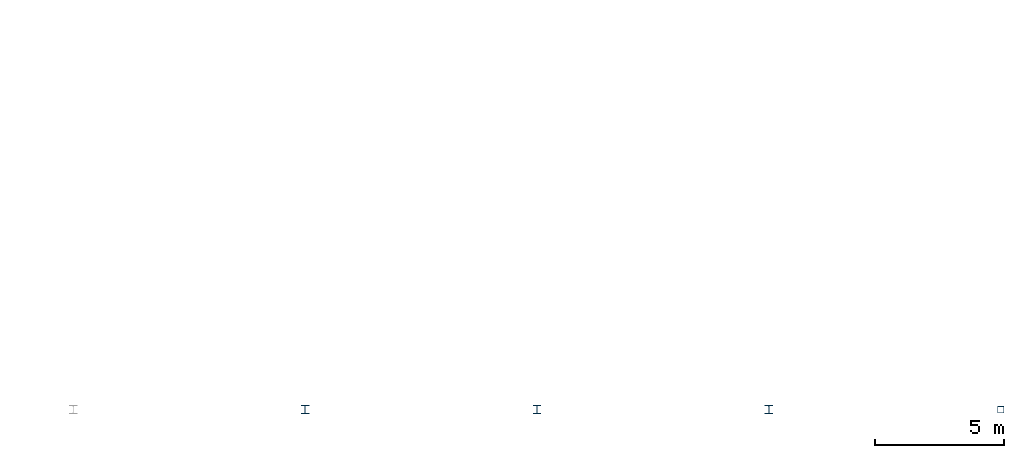
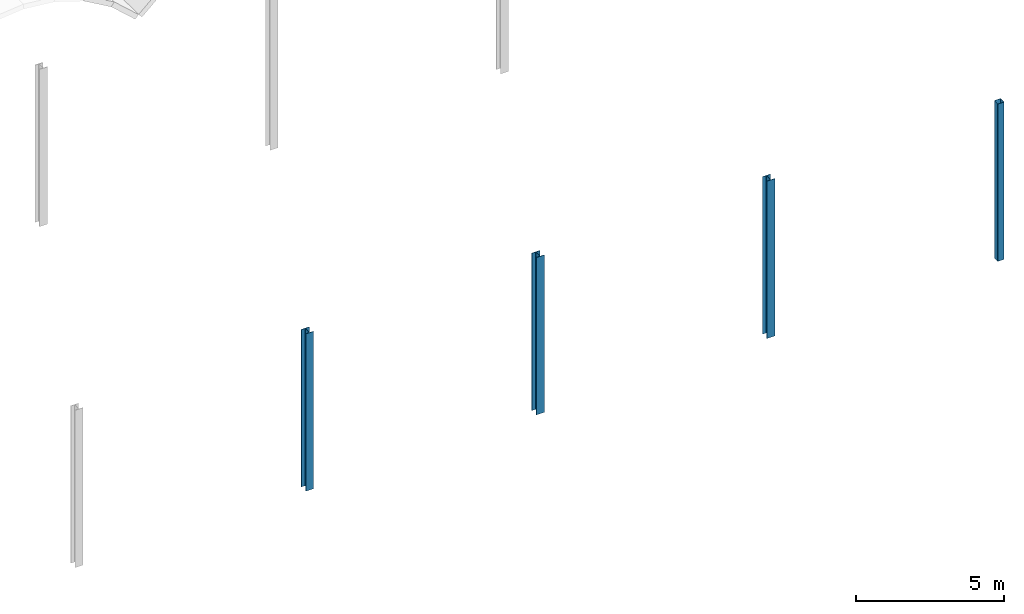
# One storey, part 3 of 5: 4 columns.
"""IFC4 building model written with IfcOpenShell, lengths in metres."""

from ifc_helpers import new_model, si_unit, direction, frame, origin, origin_2d, place, context, subcontext, project, spatial, hollow_rectangle, i_section, extrude, material, material_profile, profile_set, type_object, element, save


model = new_model("IFC4")

# Units and contexts
model_context = context("Model", 3, precision=1e-05, world=origin(), true_north=direction((0.0, 1.0)))
body_context = subcontext(model_context, "Body", "Model", "MODEL_VIEW")
ifc_project = project(units=[si_unit("LENGTHUNIT", "METRE"), si_unit("AREAUNIT", "SQUARE_METRE"), si_unit("VOLUMEUNIT", "CUBIC_METRE"), si_unit("PLANEANGLEUNIT", "RADIAN"), si_unit("MASSUNIT", "GRAM", prefix="KILO")], contexts=[model_context])

# Site, building, storey
site_placement = place(None, origin())
site = spatial("IfcSite", under=ifc_project, at=site_placement, CompositionType="ELEMENT")
building_placement = place(site_placement, origin())
building = spatial("IfcBuilding", under=site, at=building_placement, Name="Shorebreak Coast Museum", CompositionType="ELEMENT")
storey_placement = place(building_placement, frame((0.0, 0.0, 44.0)))
storey = spatial("IfcBuildingStorey", under=building, at=storey_placement, Name="Roof", CompositionType="ELEMENT", Elevation=44.0)

# Columns
ifc_material_1 = material(Name="Steel Grade C450L0", Category="steel")
ifc_material_profile_1 = material_profile(ifc_material_1, hollow_rectangle(XDim=0.25, YDim=0.25, WallThickness=0.009033203125, InnerFilletRadius=0.013427734375, OuterFilletRadius=0.0224609375, at=origin_2d()), Name="250x250x9.0 SHS")
ifc_profile_set_1 = profile_set([ifc_material_profile_1], Name="Steel Grade C450L0")
column_type_1 = type_object("IfcColumnType", Name="Column 250x250x9.0 SHS", PredefinedType="COLUMN", material=ifc_profile_set_1)
column_placement = place(storey_placement, frame((117.0, 63.0, 0.0), z_axis=(0.0, 0.0, 1.0), x_axis=(1.0, 0.0, 0.0)))
element("IfcColumn", 1, at=column_placement, inside=storey, type_object=column_type_1, Name="Column Roof 14H", PredefinedType="COLUMN", context=body_context, shape_type="SweptSolid", body=[
    extrude(hollow_rectangle(XDim=0.25, YDim=0.25, WallThickness=0.009033203125, InnerFilletRadius=0.013427734375, OuterFilletRadius=0.0224609375, at=origin_2d()), origin(), (0.0, 0.0, 1.0), 6.489990234375),
])
ifc_material_2 = material(Name="Steel Grade 300", Category="steel")
ifc_material_profile_2 = material_profile(ifc_material_2, i_section(OverallWidth=0.306884765625, OverallDepth=0.314697265625, WebThickness=0.011962890625, FlangeThickness=0.018798828125, FilletRadius=0.0166015625, at=origin_2d()), Name="310UC118")
ifc_profile_set_2 = profile_set([ifc_material_profile_2], Name="Steel Grade 300")
column_type_2 = type_object("IfcColumnType", Name="Column 310UC118", PredefinedType="COLUMN", material=ifc_profile_set_2)
for number, where, z_axis, x_axis, name in (
    (2, (90.0, 63.0, 0.0), (0.0, 0.0, 1.0), (1.0, 0.0, 0.0), "Column Roof 11H"),
    (3, (99.0, 63.0, 0.0), (0.0, 0.0, 1.0), (1.0, 0.0, 0.0), "Column Roof 12H"),
    (4, (108.0, 63.0, 0.0), (0.0, 0.0, 1.0), (1.0, 0.0, 0.0), "Column Roof 13H"),
):
    element("IfcColumn", number, at=place(storey_placement, frame(where, z_axis=z_axis, x_axis=x_axis)), inside=storey, type_object=column_type_2, Name=name, PredefinedType="COLUMN", context=body_context, shape_type="SweptSolid", body=[
        extrude(i_section(OverallWidth=0.306884765625, OverallDepth=0.314697265625, WebThickness=0.011962890625, FlangeThickness=0.018798828125, FilletRadius=0.0166015625, at=origin_2d()), origin(), (0.0, 0.0, 1.0), 6.489990234375),
    ])

save(model, "model.ifc")
